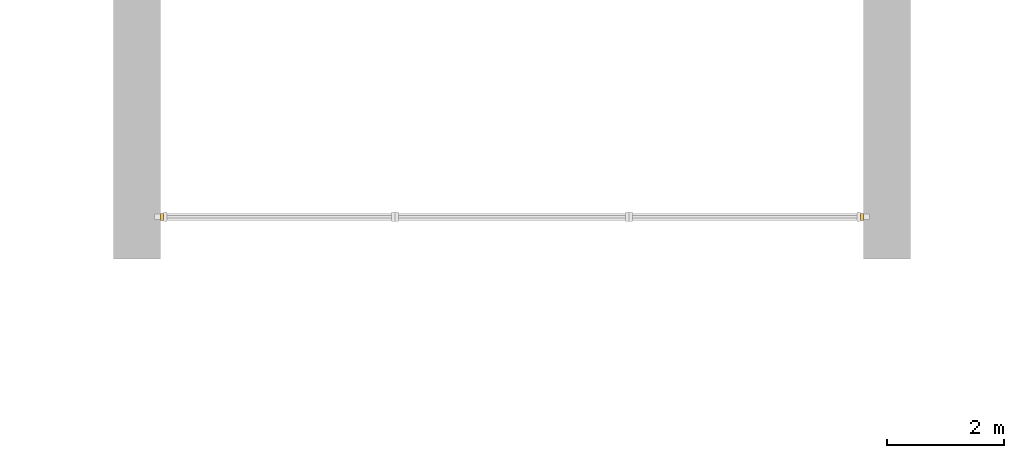
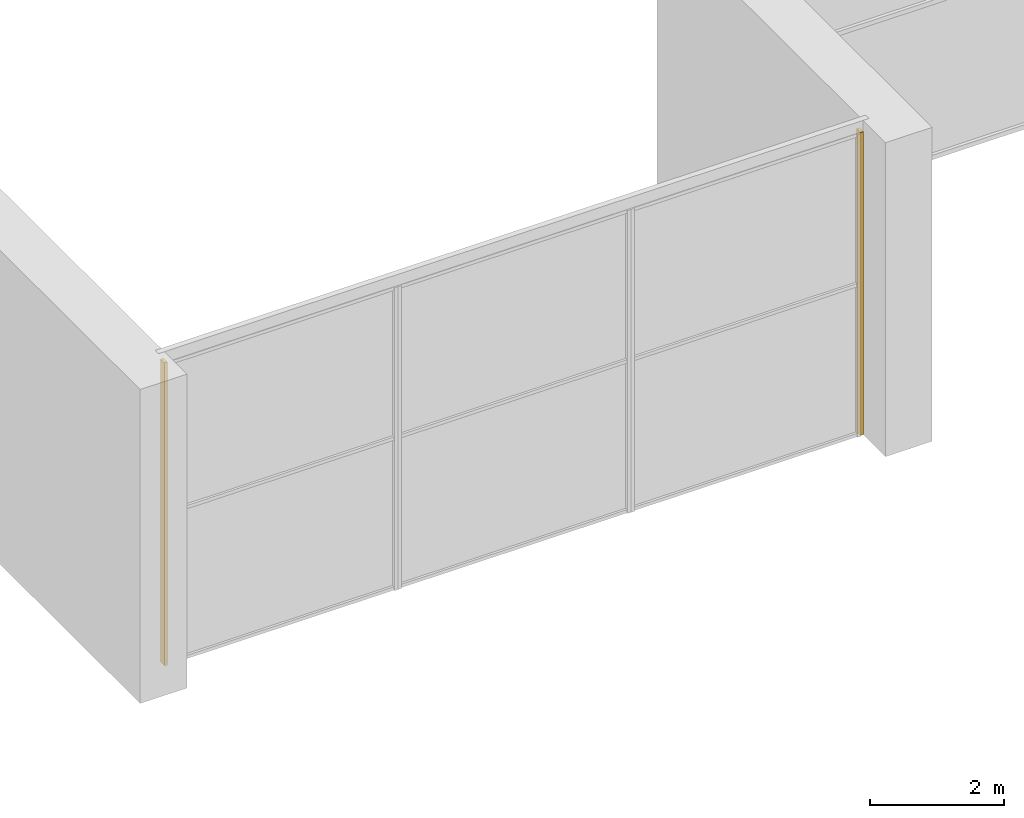
# One storey, part 15 of 17: 2 coverings.
"""IFC4 building model written with IfcOpenShell, lengths in metres."""

from ifc_helpers import new_model, si_unit, direction, frame, origin, origin_2d, place, context, subcontext, project, spatial, rectangle, extrude, material, layer, layer_set, type_object, element, save


model = new_model("IFC4")

# Units and contexts
model_context = context("Model", 3, precision=1e-05, world=origin(), true_north=direction((0.0, 1.0)))
body_context = subcontext(model_context, "Body", "Model", "MODEL_VIEW")
ifc_project = project(units=[si_unit("LENGTHUNIT", "METRE"), si_unit("AREAUNIT", "SQUARE_METRE"), si_unit("VOLUMEUNIT", "CUBIC_METRE"), si_unit("PLANEANGLEUNIT", "RADIAN"), si_unit("MASSUNIT", "GRAM", prefix="KILO")], contexts=[model_context])

# Site, building, storey
site_placement = place(None, origin())
site = spatial("IfcSite", under=ifc_project, at=site_placement, CompositionType="ELEMENT")
building_placement = place(site_placement, origin())
building = spatial("IfcBuilding", under=site, at=building_placement, Name="Zellij Exchange Tower", CompositionType="ELEMENT")
storey_placement = place(building_placement, frame((0.0, 0.0, 9.0)))
storey = spatial("IfcBuildingStorey", under=building, at=storey_placement, Name="L01", CompositionType="ELEMENT", Elevation=9.0)

# Coverings
ifc_material = material(Name="Limestone cladding", Category="masonry")
ifc_layer = layer(ifc_material, 0.1201171875)
ifc_layer_set = layer_set([ifc_layer], Name="Limestone cladding")
covering_type = type_object("IfcCoveringType", Name="ENV-CV18 Glazing closer 120", PredefinedType="CLADDING", material=ifc_layer_set)
for number, where, z_axis, x_axis, name in (
    (1, (-5.97509765625, 13.919921875, 0.0), (0.0, 0.0, 1.0), (-1.0, 0.0, 0.0), "Glazing closer"),
    (2, (5.97509765625, 13.919921875, 0.0), (0.0, 0.0, 1.0), (1.0, 0.0, 0.0), "Glazing closer"),
):
    element("IfcCovering", number, at=place(storey_placement, frame(where, z_axis=z_axis, x_axis=x_axis)), inside=storey, type_object=covering_type, Name=name, PredefinedType="CLADDING", context=body_context, shape_type="SweptSolid", body=[
        extrude(rectangle(XDim=0.050048828125, YDim=0.1201171875, at=origin_2d()), origin(), (0.0, 0.0, 1.0), 5.5),
    ])

save(model, "model.ifc")
